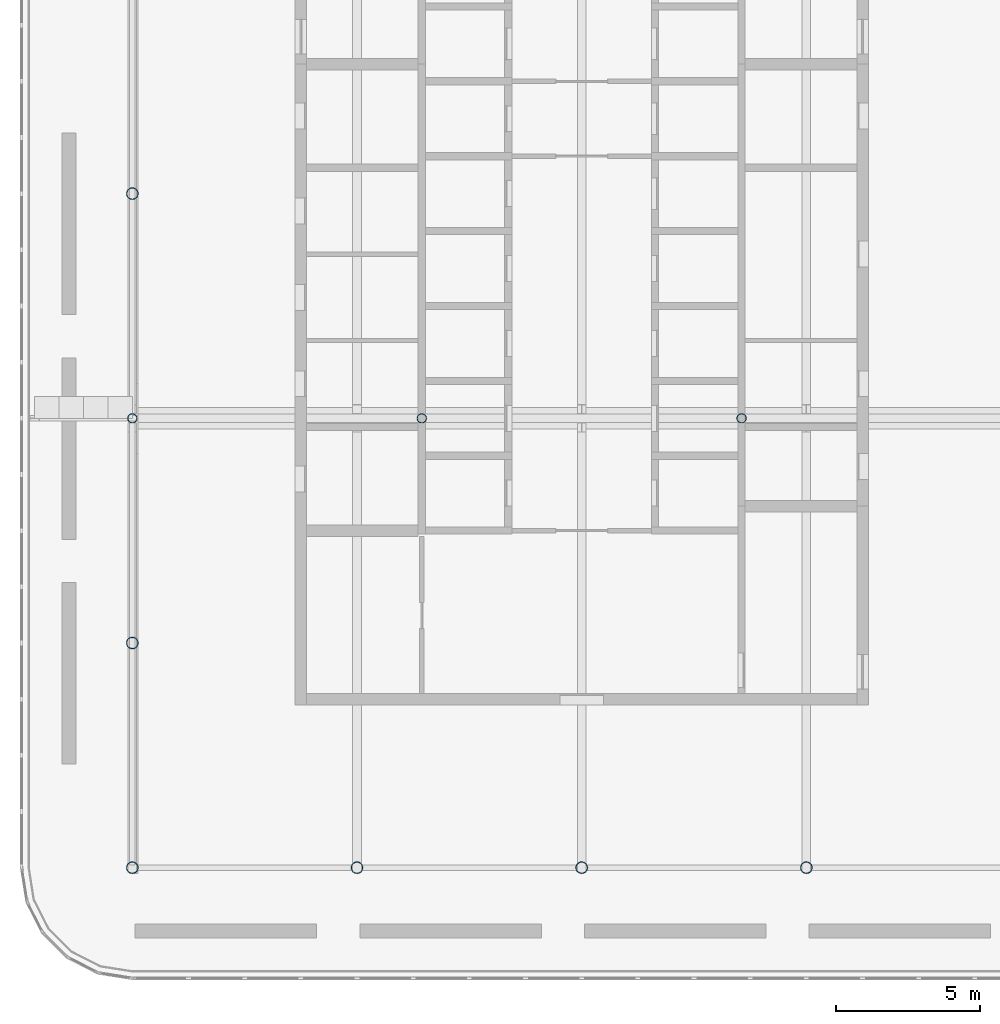
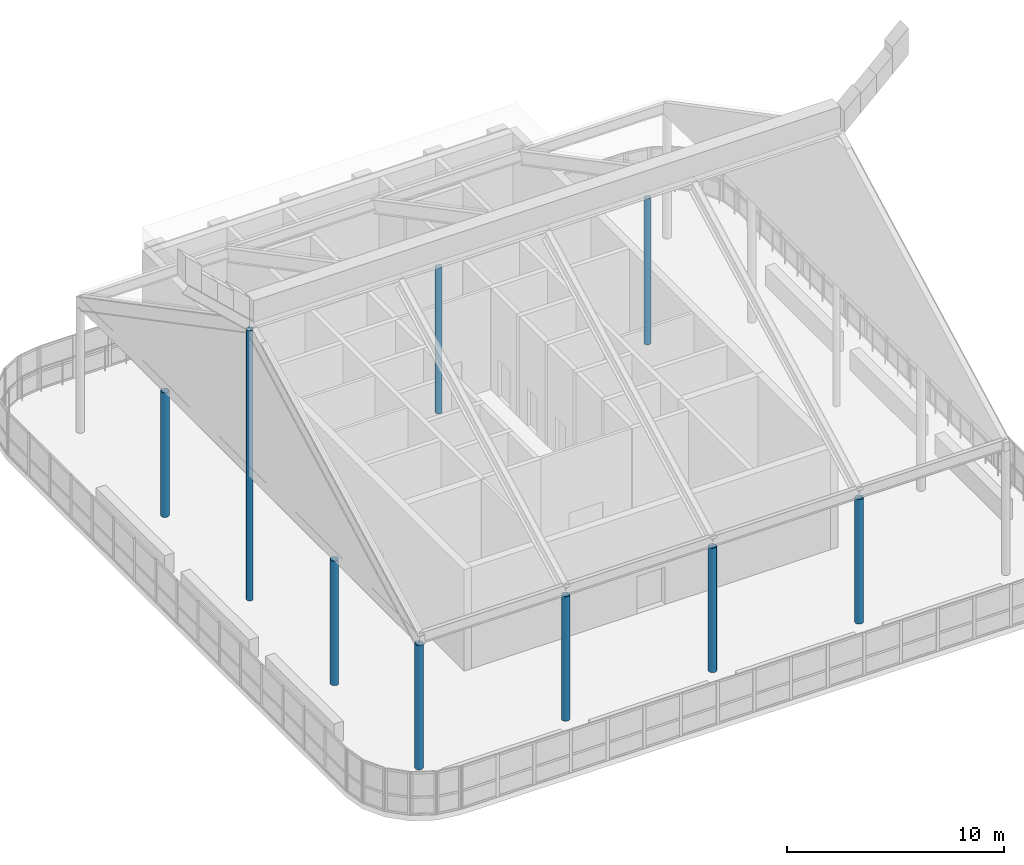
# One storey, part 1 of 19: 9 columns.
"""IFC4 building model written with IfcOpenShell, lengths in metres."""

import ifcopenshell
import ifcopenshell.guid

model = None  # the IFC model being written
_history = None  # IfcOwnerHistory: only IFC2X3 demands one
_inside = {}  # id of a spatial element -> (the spatial element, [elements in it])
_under = {}  # id of a project, library or spatial element -> (it, [spatial elements below it])
_declared = {}  # id of a project -> (the project, [libraries it declares])
_typed = {}  # id of a type object -> (the type object, [elements of that type])
_made_of = {}  # id of a material, layer set ... -> (it, [elements and type objects made of it])


def new_model(schema):
    """Start an empty IFC model of exactly this schema.

    Asked for "IFC4X3", IfcOpenShell would pick the latest addendum, in which some entities
    have other attributes; the version numbers below select the first issue.
    IFC2X3 requires an IfcOwnerHistory on every rooted entity: one is made here for all.
    """
    global model, _history
    if schema == "IFC4X3":
        model = ifcopenshell.file(schema_version=(4, 3, 0, 0))
    else:
        model = ifcopenshell.file(schema=schema)
    _inside.clear()
    _under.clear()
    _declared.clear()
    _typed.clear()
    _made_of.clear()
    _history = None
    if model.schema == "IFC2X3":
        org = make("IfcOrganization", Name="unknown")
        user = make(
            "IfcPersonAndOrganization",
            ThePerson=make("IfcPerson", FamilyName="unknown"),
            TheOrganization=org,
        )
        app = make(
            "IfcApplication",
            ApplicationDeveloper=org,
            Version="unknown",
            ApplicationFullName="unknown",
            ApplicationIdentifier="unknown",
        )
        _history = make(
            "IfcOwnerHistory",
            OwningUser=user,
            OwningApplication=app,
            ChangeAction="ADDED",
            CreationDate=0,
        )
    return model


def make(cls, **values):
    """One entity of the class cls with the attributes given. An attribute that is None is left unset."""
    return model.create_entity(
        cls, **{name: value for name, value in values.items() if value is not None}
    )


def rooted(cls, **values):
    """An entity with a GlobalId (a new one), such as an element, a storey or a relation."""
    return make(cls, GlobalId=ifcopenshell.guid.new(), OwnerHistory=_history, **values)


def si_unit(unit_type, name, prefix=None):
    """IfcSIUnit, for example si_unit("LENGTHUNIT", "METRE", prefix="MILLI")."""
    return make("IfcSIUnit", UnitType=unit_type, Prefix=prefix, Name=name)


def assignment(units):
    """IfcUnitAssignment: the units of a project."""
    return None if units is None else make("IfcUnitAssignment", Units=units)


def point(xyz):
    """IfcCartesianPoint."""
    return None if xyz is None else make("IfcCartesianPoint", Coordinates=xyz)


def direction(xyz):
    """IfcDirection."""
    return None if xyz is None else make("IfcDirection", DirectionRatios=xyz)


def frame(location, z_axis=None, x_axis=None):
    """IfcAxis2Placement3D, a coordinate frame: its origin and axes. An axis left out is left unset."""
    return make(
        "IfcAxis2Placement3D",
        Location=point(location),
        Axis=direction(z_axis),
        RefDirection=direction(x_axis),
    )


def frame_2d(location, x_axis=None):
    """IfcAxis2Placement2D, a coordinate frame in the plane: its origin and x axis."""
    return make(
        "IfcAxis2Placement2D", Location=point(location), RefDirection=direction(x_axis)
    )


def origin():
    """The frame at (0, 0, 0) with its axes left unset."""
    return frame((0.0, 0.0, 0.0))


def origin_2d():
    """The frame at (0, 0) in the plane with its x axis left unset."""
    return frame_2d((0.0, 0.0))


def place(relative_to, where):
    """IfcLocalPlacement: puts the frame where relative to a parent placement (None: the world)."""
    return make(
        "IfcLocalPlacement", PlacementRelTo=relative_to, RelativePlacement=where
    )


def context(
    kind, dimensions, precision=None, world=None, true_north=None, identifier=None
):
    """IfcGeometricRepresentationContext, for example the 3D "Model" context."""
    return make(
        "IfcGeometricRepresentationContext",
        ContextIdentifier=identifier,
        ContextType=kind,
        CoordinateSpaceDimension=dimensions,
        Precision=precision,
        WorldCoordinateSystem=world,
        TrueNorth=true_north,
    )


def subcontext(parent, identifier, kind, view, scale=None):
    """IfcGeometricRepresentationSubContext, for example "Body" below "Model"."""
    return make(
        "IfcGeometricRepresentationSubContext",
        ContextIdentifier=identifier,
        ContextType=kind,
        ParentContext=parent,
        TargetScale=scale,
        TargetView=view,
    )


def project(units=None, contexts=None):
    """IfcProject with its units and contexts."""
    return rooted(
        "IfcProject",
        Name="project",
        RepresentationContexts=contexts,
        UnitsInContext=assignment(units),
    )


def spatial(cls, under=None, at=None, **own):
    """A site, building, storey or space (cls), placed at a placement, below another one or the project."""
    s = rooted(cls, ObjectPlacement=at, **own)
    if under is not None:
        _under.setdefault(under.id(), (under, []))[1].append(s)
    return s


def profile(cls, at=None, kind="AREA", **sizes):
    """A parametric profile (cls). Its sizes go by their IFC names, for example OverallWidth=200.0."""
    return make(cls, ProfileType=kind, Position=at, **sizes)


def hollow_circle(**sizes):
    """IfcCircleHollowProfileDef."""
    return profile("IfcCircleHollowProfileDef", **sizes)


def extrude(swept, where, along, depth):
    """IfcExtrudedAreaSolid: the profile swept, set in the frame where, extruded along a direction by depth."""
    return make(
        "IfcExtrudedAreaSolid",
        SweptArea=swept,
        Position=where,
        ExtrudedDirection=direction(along),
        Depth=depth,
    )


def shape(context_of_items, identifier, shape_type, items):
    """IfcShapeRepresentation: the items that make up one representation, for example the "Body"."""
    return make(
        "IfcShapeRepresentation",
        ContextOfItems=context_of_items,
        RepresentationIdentifier=identifier,
        RepresentationType=shape_type,
        Items=items,
    )


def material(Name=None, Category=None):
    """IfcMaterial."""
    return make("IfcMaterial", Name=Name, Category=Category)


def material_profile(
    of_material, cross_section, Name=None, Category=None, Priority=None
):
    """IfcMaterialProfile: a cross section and its material."""
    return make(
        "IfcMaterialProfile",
        Name=Name,
        Material=of_material,
        Profile=cross_section,
        Priority=Priority,
        Category=Category,
    )


def profile_set(profiles, Name=None, composite=None):
    """IfcMaterialProfileSet."""
    return make(
        "IfcMaterialProfileSet",
        Name=Name,
        MaterialProfiles=profiles,
        CompositeProfile=composite,
    )


def made_of(thing, what):
    """Note that an element or type object is made of a material, layer set ...; save() writes the relation."""
    if what is not None:
        _made_of.setdefault(what.id(), (what, []))[1].append(thing)
    return thing


def type_object(cls, material=None, **own):
    """A type object (cls), such as IfcWallType, which elements share."""
    return made_of(rooted(cls, **own), material)


def element(
    cls,
    number,
    at=None,
    inside=None,
    cuts=None,
    type_object=None,
    material=None,
    context=None,
    identifier="Body",
    shape_type=None,
    held_by="IfcProductDefinitionShape",
    body=None,
    shapes=None,
    **own,
):
    """One element of the class cls, such as IfcWall. Its Tag is "e" and its number.

    at: its placement. inside: the storey or other place that contains it. cuts: it is an
    opening in that element (IfcRelVoidsElement). A single representation is given by context,
    identifier, shape_type and body (its items); several are given by shapes. held_by: the class
    of the entity that holds the representations. save() writes the other relations.
    """
    e = rooted(cls, Tag="e%d" % number, ObjectPlacement=at, **own)
    if body is not None:
        shapes = [shape(context, identifier, shape_type, body)]
    if shapes is not None:
        e.Representation = make(held_by, Representations=shapes)
    if inside is not None:
        _inside.setdefault(inside.id(), (inside, []))[1].append(e)
    if cuts is not None:
        rooted(
            "IfcRelVoidsElement", RelatingBuildingElement=cuts, RelatedOpeningElement=e
        )
    if type_object is not None:
        _typed.setdefault(type_object.id(), (type_object, []))[1].append(e)
    return made_of(e, material)


def aggregate(whole, parts):
    """IfcRelAggregates: a whole, such as a stair, and the parts it consists of."""
    return rooted("IfcRelAggregates", RelatingObject=whole, RelatedObjects=parts)


def save(model, path):
    """Write the relations noted so far, then the file.

    IfcRelAggregates (storeys below a building ...), IfcRelContainedInSpatialStructure (elements
    in a storey), IfcRelDefinesByType, IfcRelAssociatesMaterial and IfcRelDeclares: one each for
    every whole, place, type object, material and project.
    """
    for whole, parts in _under.values():
        aggregate(whole, parts)
    for where, things in _inside.values():
        rooted(
            "IfcRelContainedInSpatialStructure",
            RelatedElements=things,
            RelatingStructure=where,
        )
    for kind, things in _typed.values():
        rooted("IfcRelDefinesByType", RelatedObjects=things, RelatingType=kind)
    for what, things in _made_of.values():
        rooted("IfcRelAssociatesMaterial", RelatedObjects=things, RelatingMaterial=what)
    for by, libraries in _declared.values():
        rooted("IfcRelDeclares", RelatingContext=by, RelatedDefinitions=libraries)
    model.write(path)


model = new_model("IFC4")

# Units and contexts
model_context = context("Model", 3, precision=1e-05, world=origin(), true_north=direction((0.0, 1.0)))
body_context = subcontext(model_context, "Body", "Model", "MODEL_VIEW")
ifc_project = project(units=[si_unit("LENGTHUNIT", "METRE"), si_unit("AREAUNIT", "SQUARE_METRE"), si_unit("VOLUMEUNIT", "CUBIC_METRE"), si_unit("PLANEANGLEUNIT", "RADIAN"), si_unit("MASSUNIT", "GRAM", prefix="KILO")], contexts=[model_context])

# Site, building, storey
site_placement = place(None, origin())
site = spatial("IfcSite", under=ifc_project, at=site_placement, CompositionType="ELEMENT")
building_placement = place(site_placement, origin())
building = spatial("IfcBuilding", under=site, at=building_placement, Name="Ludao Terraces", CompositionType="ELEMENT")
storey_placement = place(building_placement, frame((0.0, 0.0, 266.39990234375)))
storey = spatial("IfcBuildingStorey", under=building, at=storey_placement, Name="L73", CompositionType="ELEMENT", Elevation=266.39990234375)

# Columns
ifc_material = material(Name="Steel Q355", Category="steel")
ifc_material_profile_1 = material_profile(ifc_material, hollow_circle(Radius=0.202880859375, WallThickness=0.012451171875, at=origin_2d()), Name="CHS 406X12.5")
ifc_profile_set_1 = profile_set([ifc_material_profile_1], Name="Steel Q355")
column_type_1 = type_object("IfcColumnType", Name="Canopy column CHS 406x12.5 Q355", PredefinedType="COLUMN", material=ifc_profile_set_1)
for number, where, z_axis, x_axis, name in (
    (1, (69.39990234375, 49.39990234375, 0.0), (0.0, 0.0, 1.0), (1.0, 0.0, 0.0), "Canopy column SW"),
    (2, (77.199951171875, 49.39990234375, 0.0), (0.0, 0.0, 1.0), (1.0, 0.0, 0.0), "Canopy column SA"),
    (3, (85.0, 49.39990234375, 0.0), (0.0, 0.0, 1.0), (1.0, 0.0, 0.0), "Canopy column SM"),
    (4, (92.800048828125, 49.39990234375, 0.0), (0.0, 0.0, 1.0), (1.0, 0.0, 0.0), "Canopy column SB"),
    (5, (69.39990234375, 57.199951171875, 0.0), (0.0, 0.0, 1.0), (1.0, 0.0, 0.0), "Canopy column WA"),
    (6, (69.39990234375, 72.800048828125, 0.0), (0.0, 0.0, 1.0), (1.0, 0.0, 0.0), "Canopy column WB"),
):
    element("IfcColumn", number, at=place(storey_placement, frame(where, z_axis=z_axis, x_axis=x_axis)), inside=storey, type_object=column_type_1, Name=name, PredefinedType="COLUMN", context=body_context, shape_type="SweptSolid", body=[
        extrude(hollow_circle(Radius=0.202880859375, WallThickness=0.012451171875, at=origin_2d()), origin(), (0.0, 0.0, 1.0), 6.99560546875),
    ])
ifc_material_profile_2 = material_profile(ifc_material, hollow_circle(Radius=0.16259765625, WallThickness=0.011962890625, at=origin_2d()), Name="CHS 325X12")
ifc_profile_set_2 = profile_set([ifc_material_profile_2], Name="Steel Q355")
column_type_2 = type_object("IfcColumnType", Name="Canopy ridge column CHS 325x12 Q355", PredefinedType="COLUMN", material=ifc_profile_set_2)
column_placement = place(storey_placement, frame((69.39990234375, 65.0, 0.0), z_axis=(0.0, 0.0, 1.0), x_axis=(1.0, 0.0, 0.0)))
element("IfcColumn", 7, at=column_placement, inside=storey, type_object=column_type_2, Name="Canopy ridge column W", PredefinedType="COLUMN", context=body_context, shape_type="SweptSolid", body=[
    extrude(hollow_circle(Radius=0.16259765625, WallThickness=0.011962890625, at=origin_2d()), origin(), (0.0, 0.0, 1.0), 15.20751953125),
])
for number, where, z_axis, x_axis, name in (
    (8, (79.449951171875, 65.0, 6.99560546875), (0.0, 0.0, 1.0), (1.0, 0.0, 0.0), "Canopy ridge column RA"),
    (9, (90.550048828125, 65.0, 6.99560546875), (0.0, 0.0, 1.0), (1.0, 0.0, 0.0), "Canopy ridge column RB"),
):
    element("IfcColumn", number, at=place(storey_placement, frame(where, z_axis=z_axis, x_axis=x_axis)), inside=storey, type_object=column_type_2, Name=name, PredefinedType="COLUMN", context=body_context, shape_type="SweptSolid", body=[
        extrude(hollow_circle(Radius=0.16259765625, WallThickness=0.011962890625, at=origin_2d()), origin(), (0.0, 0.0, 1.0), 8.2119140625),
    ])

save(model, "model.ifc")
